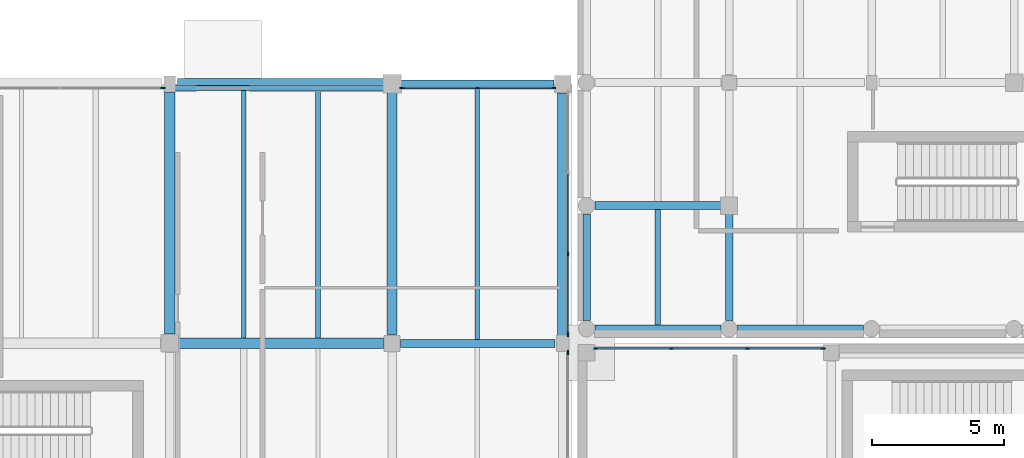
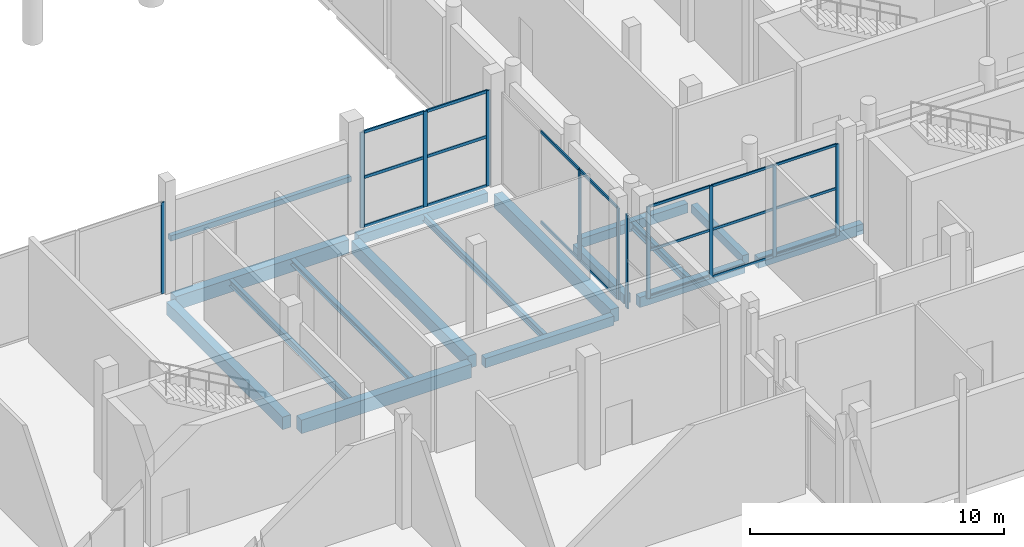
# One storey, part 23 of 88: 30 members, 17 beams, 5 elements without a shape of their own.
"""IFC4 building model written with IfcOpenShell, lengths in metres."""

from ifc_helpers import new_model, si_unit, direction, frame, origin, origin_2d, place, context, subcontext, project, spatial, rectangle, i_section, extrude, material, layer, layer_set, material_profile, profile_set, type_object, element, aggregate, save


model = new_model("IFC4")

# Units and contexts
model_context = context("Model", 3, precision=1e-05, world=origin(), true_north=direction((0.0, 1.0)))
body_context = subcontext(model_context, "Body", "Model", "MODEL_VIEW")
ifc_project = project(units=[si_unit("LENGTHUNIT", "METRE"), si_unit("AREAUNIT", "SQUARE_METRE"), si_unit("VOLUMEUNIT", "CUBIC_METRE"), si_unit("PLANEANGLEUNIT", "RADIAN"), si_unit("MASSUNIT", "GRAM", prefix="KILO")], contexts=[model_context])

# Site, building, storey
site_placement = place(None, origin())
site = spatial("IfcSite", under=ifc_project, at=site_placement, CompositionType="ELEMENT")
building_placement = place(site_placement, origin())
building = spatial("IfcBuilding", under=site, at=building_placement, Name="Birchvale Park Specialist Clinic", CompositionType="ELEMENT")
storey_placement = place(building_placement, origin())
storey = spatial("IfcBuildingStorey", under=building, at=storey_placement, Name="L00", CompositionType="ELEMENT", Elevation=0.0)

# Beams
ifc_material_1 = material(Name="Concrete C40/50", Category="concrete")
ifc_material_profile_1 = material_profile(ifc_material_1, rectangle(XDim=0.3798828125, YDim=0.639892578125, at=origin_2d()), Name="RCB-380x640")
ifc_profile_set_1 = profile_set([ifc_material_profile_1], Name="Concrete C40/50")
beam_type_1 = type_object("IfcBeamType", Name="BM-EXT-BG5", PredefinedType="BEAM", material=ifc_profile_set_1)
beam_1_placement = place(storey_placement, frame((51.25, 34.889892578125, -0.669921875), z_axis=(0.0, 1.0, 0.0), x_axis=(-1.0, 0.0, 0.0)))
element("IfcBeam", 1, at=beam_1_placement, inside=storey, type_object=beam_type_1, Name="V2 L00 Y girder 48", PredefinedType="BEAM", context=body_context, shape_type="SweptSolid", body=[
    extrude(rectangle(XDim=0.3798828125, YDim=0.639892578125, at=origin_2d()), origin(), (0.0, 0.0, 1.0), 9.170166015625),
])
ifc_material_profile_2 = material_profile(ifc_material_1, rectangle(XDim=0.300048828125, YDim=0.489990234375, at=origin_2d()), Name="RCB-300x490")
ifc_profile_set_2 = profile_set([ifc_material_profile_2], Name="Concrete C40/50")
beam_type_2 = type_object("IfcBeamType", Name="BM-EXT-BG8", PredefinedType="BEAM", material=ifc_profile_set_2)
for number, where, z_axis, x_axis, name in (
    (2, (52.4599609375, 35.14990234375, -0.56494140625), (1.0, 0.0, 0.0), (0.0, 1.0, 0.0), "V1 L00 X girder 1"),
    (3, (57.845703125, 35.14990234375, -0.56494140625), (1.0, 0.0, 0.0), (0.0, 1.0, 0.0), "V1 L00 X girder 2"),
):
    element("IfcBeam", number, at=place(storey_placement, frame(where, z_axis=z_axis, x_axis=x_axis)), inside=storey, type_object=beam_type_2, Name=name, PredefinedType="BEAM", context=body_context, shape_type="SweptSolid", body=[
        extrude(rectangle(XDim=0.300048828125, YDim=0.489990234375, at=origin_2d()), origin(), (0.0, 0.0, 1.0), 4.765625),
    ])
ifc_material_profile_3 = material_profile(ifc_material_1, rectangle(XDim=0.280029296875, YDim=0.43994140625, at=origin_2d()), Name="RCB-280x440")
ifc_profile_set_3 = profile_set([ifc_material_profile_3], Name="Concrete C40/50")
beam_type_3 = type_object("IfcBeamType", Name="BM-EXT-BG9", PredefinedType="BEAM", material=ifc_profile_set_3)
beam_2_placement = place(storey_placement, frame((52.14990234375, 35.4599609375, -0.5400390625), z_axis=(0.0, 1.0, 0.0), x_axis=(-1.0, 0.0, 0.0)))
element("IfcBeam", 4, at=beam_2_placement, inside=storey, type_object=beam_type_3, Name="V1 L00 Y girder 47", PredefinedType="BEAM", context=body_context, shape_type="SweptSolid", body=[
    extrude(rectangle(XDim=0.280029296875, YDim=0.43994140625, at=origin_2d()), origin(), (0.0, 0.0, 1.0), 4.030029296875),
])
ifc_material_profile_4 = material_profile(ifc_material_1, rectangle(XDim=0.39990234375, YDim=0.64990234375, at=origin_2d()), Name="RCB-400x650")
ifc_profile_set_4 = profile_set([ifc_material_profile_4], Name="Concrete C40/50")
beam_type_4 = type_object("IfcBeamType", Name="BM-INT-BG4", PredefinedType="BEAM", material=ifc_profile_set_4)
beam_3_placement = place(storey_placement, frame((36.75, 34.60009765625, -0.675048828125), z_axis=(1.0, 0.0, 0.0), x_axis=(0.0, 1.0, 0.0)))
element("IfcBeam", 5, at=beam_3_placement, inside=storey, type_object=beam_type_4, Name="V2 L00 X girder 19", PredefinedType="BEAM", context=body_context, shape_type="SweptSolid", body=[
    extrude(rectangle(XDim=0.39990234375, YDim=0.64990234375, at=origin_2d()), origin(), (0.0, 0.0, 1.0), 7.72509765625),
])
beam_4_placement = place(storey_placement, frame((36.699951171875, 44.39990234375, -0.675048828125), z_axis=(1.0, 0.0, 0.0), x_axis=(0.0, 1.0, 0.0)))
element("IfcBeam", 6, at=beam_4_placement, inside=storey, type_object=beam_type_4, Name="V2 L00 X girder 24", PredefinedType="BEAM", context=body_context, shape_type="SweptSolid", body=[
    extrude(rectangle(XDim=0.39990234375, YDim=0.64990234375, at=origin_2d()), origin(), (0.0, 0.0, 1.0), 7.875),
])
ifc_material_profile_5 = material_profile(ifc_material_1, rectangle(XDim=0.3798828125, YDim=0.60009765625, at=origin_2d()), Name="RCB-380x600")
ifc_profile_set_5 = profile_set([ifc_material_profile_5], Name="Concrete C40/50")
beam_type_5 = type_object("IfcBeamType", Name="BM-INT-BG5", PredefinedType="BEAM", material=ifc_profile_set_5)
beam_5_placement = place(storey_placement, frame((36.39990234375, 34.949951171875, -0.64990234375), z_axis=(0.0, 1.0, 0.0), x_axis=(-1.0, 0.0, 0.0)))
element("IfcBeam", 7, at=beam_5_placement, inside=storey, type_object=beam_type_5, Name="V2 L00 Y girder 40", PredefinedType="BEAM", context=body_context, shape_type="SweptSolid", body=[
    extrude(rectangle(XDim=0.3798828125, YDim=0.60009765625, at=origin_2d()), origin(), (0.0, 0.0, 1.0), 9.150146484375),
])
beam_6_placement = place(storey_placement, frame((44.800048828125, 34.925048828125, -0.64990234375), z_axis=(0.0, 1.0, 0.0), x_axis=(-1.0, 0.0, 0.0)))
element("IfcBeam", 8, at=beam_6_placement, inside=storey, type_object=beam_type_5, Name="V2 L00 Y girder 44", PredefinedType="BEAM", context=body_context, shape_type="SweptSolid", body=[
    extrude(rectangle(XDim=0.3798828125, YDim=0.60009765625, at=origin_2d()), origin(), (0.0, 0.0, 1.0), 9.175048828125),
])
ifc_material_profile_6 = material_profile(ifc_material_1, rectangle(XDim=0.300048828125, YDim=0.449951171875, at=origin_2d()), Name="RCB-300x450")
ifc_profile_set_6 = profile_set([ifc_material_profile_6], Name="Concrete C40/50")
beam_type_6 = type_object("IfcBeamType", Name="BM-INT-BG8", PredefinedType="BEAM", material=ifc_profile_set_6)
beam_7_placement = place(storey_placement, frame((52.4599609375, 39.800048828125, -0.544921875), z_axis=(1.0, 0.0, 0.0), x_axis=(0.0, 1.0, 0.0)))
element("IfcBeam", 9, at=beam_7_placement, inside=storey, type_object=beam_type_6, Name="V1 L00 X girder 8", PredefinedType="BEAM", context=body_context, shape_type="SweptSolid", body=[
    extrude(rectangle(XDim=0.300048828125, YDim=0.449951171875, at=origin_2d()), origin(), (0.0, 0.0, 1.0), 4.875732421875),
])
beam_8_placement = place(storey_placement, frame((45.125, 34.60009765625, -0.574951171875), z_axis=(1.0, 0.0, 0.0), x_axis=(0.0, 1.0, 0.0)))
element("IfcBeam", 10, at=beam_8_placement, inside=storey, type_object=beam_type_6, Name="V2 L00 X girder 20", PredefinedType="BEAM", context=body_context, shape_type="SweptSolid", body=[
    extrude(rectangle(XDim=0.300048828125, YDim=0.449951171875, at=origin_2d()), origin(), (0.0, 0.0, 1.0), 5.8349609375),
])
beam_9_placement = place(storey_placement, frame((45.02490234375, 44.39990234375, -0.574951171875), z_axis=(1.0, 0.0, 0.0), x_axis=(0.0, 1.0, 0.0)))
element("IfcBeam", 11, at=beam_9_placement, inside=storey, type_object=beam_type_6, Name="V2 L00 X girder 25", PredefinedType="BEAM", context=body_context, shape_type="SweptSolid", body=[
    extrude(rectangle(XDim=0.300048828125, YDim=0.449951171875, at=origin_2d()), origin(), (0.0, 0.0, 1.0), 5.885009765625),
])
ifc_material_profile_7 = material_profile(ifc_material_1, rectangle(XDim=0.280029296875, YDim=0.39990234375, at=origin_2d()), Name="RCB-280x400")
ifc_profile_set_7 = profile_set([ifc_material_profile_7], Name="Concrete C40/50")
beam_type_7 = type_object("IfcBeamType", Name="BM-INT-BG9", PredefinedType="BEAM", material=ifc_profile_set_7)
beam_10_placement = place(storey_placement, frame((57.53564453125, 35.4599609375, -0.52001953125), z_axis=(0.0, 1.0, 0.0), x_axis=(-1.0, 0.0, 0.0)))
element("IfcBeam", 12, at=beam_10_placement, inside=storey, type_object=beam_type_7, Name="V1 L00 Y girder 53", PredefinedType="BEAM", context=body_context, shape_type="SweptSolid", body=[
    extrude(rectangle(XDim=0.280029296875, YDim=0.39990234375, at=origin_2d()), origin(), (0.0, 0.0, 1.0), 4.06494140625),
])

# Curtain wall, members
ifc_material_2 = material(Name="Thermally broken anodised aluminium", Category="aluminium")
ifc_layer_1 = layer(ifc_material_2, 0.179931640625)
ifc_layer_set_1 = layer_set([ifc_layer_1], Name="Thermally broken anodised aluminium")
curtain_wall_type_1 = type_object("IfcCurtainWallType", Name="CW-U1", PredefinedType="USERDEFINED", material=ifc_layer_set_1)
curtain_wall_1_placement = place(storey_placement, origin())
curtain_wall_1 = element("IfcCurtainWall", 13, at=curtain_wall_1_placement, inside=storey, type_object=curtain_wall_type_1, Name="V4 L00 glazed curtain wall 45", ObjectType="UNITISED", PredefinedType="USERDEFINED")
ifc_material_profile_8 = material_profile(ifc_material_2, rectangle(XDim=0.06005859375, YDim=0.159912109375, at=origin_2d()), Name="CWM-60x160")
ifc_profile_set_8 = profile_set([ifc_material_profile_8], Name="Thermally broken anodised aluminium")
member_type_1 = type_object("IfcMemberType", Name="CWM1", PredefinedType="MULLION", material=ifc_profile_set_8)
member_1_placement = place(storey_placement, frame((61.080078125, 34.409912109375, 0.0), z_axis=(0.0, 0.0, 1.0), x_axis=(0.0, -1.0, 0.0)))
member_1 = element("IfcMember", 14, at=member_1_placement, type_object=member_type_1, Name="CW mullion 1", PredefinedType="MULLION", context=body_context, shape_type="SweptSolid", body=[
    extrude(rectangle(XDim=0.06005859375, YDim=0.159912109375, at=origin_2d()), origin(), (0.0, 0.0, 1.0), 4.4150390625),
])
member_2_placement = place(storey_placement, frame((58.228271484375, 34.409912109375, 0.0), z_axis=(0.0, 0.0, 1.0), x_axis=(0.0, -1.0, 0.0)))
member_2 = element("IfcMember", 15, at=member_2_placement, type_object=member_type_1, Name="CW mullion 2", PredefinedType="MULLION", context=body_context, shape_type="SweptSolid", body=[
    extrude(rectangle(XDim=0.06005859375, YDim=0.159912109375, at=origin_2d()), origin(), (0.0, 0.0, 1.0), 4.4150390625),
])
member_3_placement = place(storey_placement, frame((55.3466796875, 34.409912109375, 0.0), z_axis=(0.0, 0.0, 1.0), x_axis=(0.0, -1.0, 0.0)))
member_3 = element("IfcMember", 16, at=member_3_placement, type_object=member_type_1, Name="CW mullion 3", PredefinedType="MULLION", context=body_context, shape_type="SweptSolid", body=[
    extrude(rectangle(XDim=0.06005859375, YDim=0.159912109375, at=origin_2d()), origin(), (0.0, 0.0, 1.0), 4.4150390625),
])
member_4_placement = place(storey_placement, frame((52.4951171875, 34.409912109375, 0.0), z_axis=(0.0, 0.0, 1.0), x_axis=(0.0, -1.0, 0.0)))
member_4 = element("IfcMember", 17, at=member_4_placement, type_object=member_type_1, Name="CW mullion 4", PredefinedType="MULLION", context=body_context, shape_type="SweptSolid", body=[
    extrude(rectangle(XDim=0.06005859375, YDim=0.159912109375, at=origin_2d()), origin(), (0.0, 0.0, 1.0), 4.4150390625),
])

# Curtain wall, member
ifc_layer_2 = layer(ifc_material_2, 0.195068359375)
ifc_layer_set_2 = layer_set([ifc_layer_2], Name="Thermally broken anodised aluminium")
curtain_wall_type_2 = type_object("IfcCurtainWallType", Name="CW-U2", PredefinedType="USERDEFINED", material=ifc_layer_set_2)
curtain_wall_2_placement = place(storey_placement, origin())
curtain_wall_2 = element("IfcCurtainWall", 18, at=curtain_wall_2_placement, inside=storey, type_object=curtain_wall_type_2, Name="V2 L00 glazed curtain wall 12", ObjectType="UNITISED", PredefinedType="USERDEFINED")
ifc_material_profile_9 = material_profile(ifc_material_2, rectangle(XDim=0.06494140625, YDim=0.179931640625, at=origin_2d()), Name="CWM-65x180")
ifc_profile_set_9 = profile_set([ifc_material_profile_9], Name="Thermally broken anodised aluminium")
member_type_2 = type_object("IfcMemberType", Name="CWM2", PredefinedType="MULLION", material=ifc_profile_set_9)
member_5_placement = place(storey_placement, frame((51.445068359375, 34.25244140625, 0.0), z_axis=(0.0, 0.0, 1.0), x_axis=(-1.0, 0.0, 0.0)))
member_5 = element("IfcMember", 19, at=member_5_placement, type_object=member_type_2, Name="CW mullion 3", PredefinedType="MULLION", context=body_context, shape_type="SweptSolid", body=[
    extrude(rectangle(XDim=0.06494140625, YDim=0.179931640625, at=origin_2d()), origin(), (0.0, 0.0, 1.0), 4.4951171875),
])
aggregate(curtain_wall_2, [member_5])

# Curtain wall, members
curtain_wall_3_placement = place(storey_placement, origin())
curtain_wall_3 = element("IfcCurtainWall", 20, at=curtain_wall_3_placement, inside=storey, type_object=curtain_wall_type_2, Name="V2 L00 glazed curtain wall 13", ObjectType="UNITISED", PredefinedType="USERDEFINED")
member_6_placement = place(storey_placement, frame((51.445068359375, 34.947509765625, 0.0), z_axis=(0.0, 0.0, 1.0), x_axis=(-1.0, 0.0, 0.0)))
member_6 = element("IfcMember", 21, at=member_6_placement, type_object=member_type_2, Name="CW mullion 1", PredefinedType="MULLION", context=body_context, shape_type="SweptSolid", body=[
    extrude(rectangle(XDim=0.06494140625, YDim=0.179931640625, at=origin_2d()), origin(), (0.0, 0.0, 1.0), 4.39501953125),
])
member_7_placement = place(storey_placement, frame((51.445068359375, 37.9716796875, 0.0), z_axis=(0.0, 0.0, 1.0), x_axis=(-1.0, 0.0, 0.0)))
member_7 = element("IfcMember", 22, at=member_7_placement, type_object=member_type_2, Name="CW mullion 2", PredefinedType="MULLION", context=body_context, shape_type="SweptSolid", body=[
    extrude(rectangle(XDim=0.06494140625, YDim=0.179931640625, at=origin_2d()), origin(), (0.0, 0.0, 1.0), 4.39501953125),
])

curtain_wall_4_placement = place(storey_placement, origin())
curtain_wall_4 = element("IfcCurtainWall", 23, at=curtain_wall_4_placement, inside=storey, type_object=curtain_wall_type_2, Name="V2 L00 glazed curtain wall 14", ObjectType="UNITISED", PredefinedType="USERDEFINED")
member_8_placement = place(storey_placement, frame((50.902587890625, 44.2451171875, 0.0), z_axis=(0.0, 0.0, 1.0), x_axis=(0.0, -1.0, 0.0)))
member_8 = element("IfcMember", 24, at=member_8_placement, type_object=member_type_2, Name="CW mullion 1", PredefinedType="MULLION", context=body_context, shape_type="SweptSolid", body=[
    extrude(rectangle(XDim=0.06494140625, YDim=0.179931640625, at=origin_2d()), origin(), (0.0, 0.0, 1.0), 4.5849609375),
])
member_9_placement = place(storey_placement, frame((48.04248046875, 44.2451171875, 0.0), z_axis=(0.0, 0.0, 1.0), x_axis=(0.0, -1.0, 0.0)))
member_9 = element("IfcMember", 25, at=member_9_placement, type_object=member_type_2, Name="CW mullion 2", PredefinedType="MULLION", context=body_context, shape_type="SweptSolid", body=[
    extrude(rectangle(XDim=0.06494140625, YDim=0.179931640625, at=origin_2d()), origin(), (0.0, 0.0, 1.0), 4.5849609375),
])
member_10_placement = place(storey_placement, frame((45.1826171875, 44.2451171875, 0.0), z_axis=(0.0, 0.0, 1.0), x_axis=(0.0, -1.0, 0.0)))
member_10 = element("IfcMember", 26, at=member_10_placement, type_object=member_type_2, Name="CW mullion 3", PredefinedType="MULLION", context=body_context, shape_type="SweptSolid", body=[
    extrude(rectangle(XDim=0.06494140625, YDim=0.179931640625, at=origin_2d()), origin(), (0.0, 0.0, 1.0), 4.5849609375),
])

# Curtain wall, member
curtain_wall_5_placement = place(storey_placement, origin())
curtain_wall_5 = element("IfcCurtainWall", 27, at=curtain_wall_5_placement, inside=storey, type_object=curtain_wall_type_2, Name="V2 L00 glazed curtain wall 15", ObjectType="UNITISED", PredefinedType="USERDEFINED")
member_11_placement = place(storey_placement, frame((36.142578125, 44.2451171875, 0.0), z_axis=(0.0, 0.0, 1.0), x_axis=(0.0, -1.0, 0.0)))
member_11 = element("IfcMember", 28, at=member_11_placement, type_object=member_type_2, Name="CW mullion 1", PredefinedType="MULLION", context=body_context, shape_type="SweptSolid", body=[
    extrude(rectangle(XDim=0.06494140625, YDim=0.179931640625, at=origin_2d()), origin(), (0.0, 0.0, 1.0), 4.385009765625),
])
aggregate(curtain_wall_5, [member_11])

# Member
ifc_material_profile_10 = material_profile(ifc_material_2, rectangle(XDim=0.06005859375, YDim=0.1201171875, at=origin_2d()), Name="CWT-60x120")
ifc_profile_set_10 = profile_set([ifc_material_profile_10], Name="Thermally broken anodised aluminium")
member_type_3 = type_object("IfcMemberType", Name="CWT1", PredefinedType="USERDEFINED", material=ifc_profile_set_10)
member_12_placement = place(storey_placement, frame((61.050048828125, 34.409912109375, 0.030029296875), z_axis=(-1.0, 0.0, 0.0), x_axis=(0.0, -1.0, 0.0)))
member_12 = element("IfcMember", 29, at=member_12_placement, type_object=member_type_3, Name="CW transom 1.1", ObjectType="TRANSOM", PredefinedType="USERDEFINED", context=body_context, shape_type="SweptSolid", body=[
    extrude(rectangle(XDim=0.06005859375, YDim=0.1201171875, at=origin_2d()), origin(), (0.0, 0.0, 1.0), 2.791748046875),
])

member_13_placement = place(storey_placement, frame((61.050048828125, 34.409912109375, 2.2958984375), z_axis=(-1.0, 0.0, 0.0), x_axis=(0.0, -1.0, 0.0)))
member_13 = element("IfcMember", 30, at=member_13_placement, type_object=member_type_3, Name="CW transom 1.2", ObjectType="TRANSOM", PredefinedType="USERDEFINED", context=body_context, shape_type="SweptSolid", body=[
    extrude(rectangle(XDim=0.06005859375, YDim=0.1201171875, at=origin_2d()), origin(), (0.0, 0.0, 1.0), 2.791748046875),
])

member_14_placement = place(storey_placement, frame((61.050048828125, 34.409912109375, 4.385009765625), z_axis=(-1.0, 0.0, 0.0), x_axis=(0.0, -1.0, 0.0)))
member_14 = element("IfcMember", 31, at=member_14_placement, type_object=member_type_3, Name="CW transom 1.3", ObjectType="TRANSOM", PredefinedType="USERDEFINED", context=body_context, shape_type="SweptSolid", body=[
    extrude(rectangle(XDim=0.06005859375, YDim=0.1201171875, at=origin_2d()), origin(), (0.0, 0.0, 1.0), 2.791748046875),
])

member_15_placement = place(storey_placement, frame((58.1982421875, 34.409912109375, 0.030029296875), z_axis=(-1.0, 0.0, 0.0), x_axis=(0.0, -1.0, 0.0)))
member_15 = element("IfcMember", 32, at=member_15_placement, type_object=member_type_3, Name="CW transom 2.1", ObjectType="TRANSOM", PredefinedType="USERDEFINED", context=body_context, shape_type="SweptSolid", body=[
    extrude(rectangle(XDim=0.06005859375, YDim=0.1201171875, at=origin_2d()), origin(), (0.0, 0.0, 1.0), 2.821533203125),
])

member_16_placement = place(storey_placement, frame((58.1982421875, 34.409912109375, 2.2958984375), z_axis=(-1.0, 0.0, 0.0), x_axis=(0.0, -1.0, 0.0)))
member_16 = element("IfcMember", 33, at=member_16_placement, type_object=member_type_3, Name="CW transom 2.2", ObjectType="TRANSOM", PredefinedType="USERDEFINED", context=body_context, shape_type="SweptSolid", body=[
    extrude(rectangle(XDim=0.06005859375, YDim=0.1201171875, at=origin_2d()), origin(), (0.0, 0.0, 1.0), 2.821533203125),
])

member_17_placement = place(storey_placement, frame((58.1982421875, 34.409912109375, 4.385009765625), z_axis=(-1.0, 0.0, 0.0), x_axis=(0.0, -1.0, 0.0)))
member_17 = element("IfcMember", 34, at=member_17_placement, type_object=member_type_3, Name="CW transom 2.3", ObjectType="TRANSOM", PredefinedType="USERDEFINED", context=body_context, shape_type="SweptSolid", body=[
    extrude(rectangle(XDim=0.06005859375, YDim=0.1201171875, at=origin_2d()), origin(), (0.0, 0.0, 1.0), 2.821533203125),
])

member_18_placement = place(storey_placement, frame((55.316650390625, 34.409912109375, 0.030029296875), z_axis=(-1.0, 0.0, 0.0), x_axis=(0.0, -1.0, 0.0)))
member_18 = element("IfcMember", 35, at=member_18_placement, type_object=member_type_3, Name="CW transom 3.1", ObjectType="TRANSOM", PredefinedType="USERDEFINED", context=body_context, shape_type="SweptSolid", body=[
    extrude(rectangle(XDim=0.06005859375, YDim=0.1201171875, at=origin_2d()), origin(), (0.0, 0.0, 1.0), 2.791748046875),
])

member_19_placement = place(storey_placement, frame((55.316650390625, 34.409912109375, 2.2958984375), z_axis=(-1.0, 0.0, 0.0), x_axis=(0.0, -1.0, 0.0)))
member_19 = element("IfcMember", 36, at=member_19_placement, type_object=member_type_3, Name="CW transom 3.2", ObjectType="TRANSOM", PredefinedType="USERDEFINED", context=body_context, shape_type="SweptSolid", body=[
    extrude(rectangle(XDim=0.06005859375, YDim=0.1201171875, at=origin_2d()), origin(), (0.0, 0.0, 1.0), 2.791748046875),
])

member_20_placement = place(storey_placement, frame((55.316650390625, 34.409912109375, 4.385009765625), z_axis=(-1.0, 0.0, 0.0), x_axis=(0.0, -1.0, 0.0)))
member_20 = element("IfcMember", 37, at=member_20_placement, type_object=member_type_3, Name="CW transom 3.3", ObjectType="TRANSOM", PredefinedType="USERDEFINED", context=body_context, shape_type="SweptSolid", body=[
    extrude(rectangle(XDim=0.06005859375, YDim=0.1201171875, at=origin_2d()), origin(), (0.0, 0.0, 1.0), 2.791748046875),
])

aggregate(curtain_wall_1, [member_1, member_2, member_3, member_4, member_12, member_13, member_14, member_15, member_16, member_17, member_18, member_19, member_20])

ifc_material_profile_11 = material_profile(ifc_material_2, rectangle(XDim=0.06494140625, YDim=0.139892578125, at=origin_2d()), Name="CWT-65x140")
ifc_profile_set_11 = profile_set([ifc_material_profile_11], Name="Thermally broken anodised aluminium")
member_type_4 = type_object("IfcMemberType", Name="CWT2", PredefinedType="USERDEFINED", material=ifc_profile_set_11)
member_21_placement = place(storey_placement, frame((51.445068359375, 34.97998046875, 0.032470703125), z_axis=(0.0, 1.0, 0.0), x_axis=(-1.0, 0.0, 0.0)))
member_21 = element("IfcMember", 38, at=member_21_placement, type_object=member_type_4, Name="CW transom 1.1", ObjectType="TRANSOM", PredefinedType="USERDEFINED", context=body_context, shape_type="SweptSolid", body=[
    extrude(rectangle(XDim=0.06494140625, YDim=0.139892578125, at=origin_2d()), origin(), (0.0, 0.0, 1.0), 2.959228515625),
])

member_22_placement = place(storey_placement, frame((51.445068359375, 34.97998046875, 4.362548828125), z_axis=(0.0, 1.0, 0.0), x_axis=(-1.0, 0.0, 0.0)))
member_22 = element("IfcMember", 39, at=member_22_placement, type_object=member_type_4, Name="CW transom 1.2", ObjectType="TRANSOM", PredefinedType="USERDEFINED", context=body_context, shape_type="SweptSolid", body=[
    extrude(rectangle(XDim=0.06494140625, YDim=0.139892578125, at=origin_2d()), origin(), (0.0, 0.0, 1.0), 2.959228515625),
])

member_23_placement = place(storey_placement, frame((51.445068359375, 38.004150390625, 0.032470703125), z_axis=(0.0, 1.0, 0.0), x_axis=(-1.0, 0.0, 0.0)))
member_23 = element("IfcMember", 40, at=member_23_placement, type_object=member_type_4, Name="CW transom 2.1", ObjectType="TRANSOM", PredefinedType="USERDEFINED", context=body_context, shape_type="SweptSolid", body=[
    extrude(rectangle(XDim=0.06494140625, YDim=0.139892578125, at=origin_2d()), origin(), (0.0, 0.0, 1.0), 2.99169921875),
])

member_24_placement = place(storey_placement, frame((51.445068359375, 38.004150390625, 4.362548828125), z_axis=(0.0, 1.0, 0.0), x_axis=(-1.0, 0.0, 0.0)))
member_24 = element("IfcMember", 41, at=member_24_placement, type_object=member_type_4, Name="CW transom 2.2", ObjectType="TRANSOM", PredefinedType="USERDEFINED", context=body_context, shape_type="SweptSolid", body=[
    extrude(rectangle(XDim=0.06494140625, YDim=0.139892578125, at=origin_2d()), origin(), (0.0, 0.0, 1.0), 2.99169921875),
])

aggregate(curtain_wall_3, [member_6, member_7, member_21, member_22, member_23, member_24])

member_25_placement = place(storey_placement, frame((50.8701171875, 44.2451171875, 0.032470703125), z_axis=(-1.0, 0.0, 0.0), x_axis=(0.0, -1.0, 0.0)))
member_25 = element("IfcMember", 42, at=member_25_placement, type_object=member_type_4, Name="CW transom 1.1", ObjectType="TRANSOM", PredefinedType="USERDEFINED", context=body_context, shape_type="SweptSolid", body=[
    extrude(rectangle(XDim=0.06494140625, YDim=0.139892578125, at=origin_2d()), origin(), (0.0, 0.0, 1.0), 2.795166015625),
])

member_26_placement = place(storey_placement, frame((50.8701171875, 44.2451171875, 2.38427734375), z_axis=(-1.0, 0.0, 0.0), x_axis=(0.0, -1.0, 0.0)))
member_26 = element("IfcMember", 43, at=member_26_placement, type_object=member_type_4, Name="CW transom 1.2", ObjectType="TRANSOM", PredefinedType="USERDEFINED", context=body_context, shape_type="SweptSolid", body=[
    extrude(rectangle(XDim=0.06494140625, YDim=0.139892578125, at=origin_2d()), origin(), (0.0, 0.0, 1.0), 2.795166015625),
])

member_27_placement = place(storey_placement, frame((50.8701171875, 44.2451171875, 4.552490234375), z_axis=(-1.0, 0.0, 0.0), x_axis=(0.0, -1.0, 0.0)))
member_27 = element("IfcMember", 44, at=member_27_placement, type_object=member_type_4, Name="CW transom 1.3", ObjectType="TRANSOM", PredefinedType="USERDEFINED", context=body_context, shape_type="SweptSolid", body=[
    extrude(rectangle(XDim=0.06494140625, YDim=0.139892578125, at=origin_2d()), origin(), (0.0, 0.0, 1.0), 2.795166015625),
])

member_28_placement = place(storey_placement, frame((48.010009765625, 44.2451171875, 0.032470703125), z_axis=(-1.0, 0.0, 0.0), x_axis=(0.0, -1.0, 0.0)))
member_28 = element("IfcMember", 45, at=member_28_placement, type_object=member_type_4, Name="CW transom 2.1", ObjectType="TRANSOM", PredefinedType="USERDEFINED", context=body_context, shape_type="SweptSolid", body=[
    extrude(rectangle(XDim=0.06494140625, YDim=0.139892578125, at=origin_2d()), origin(), (0.0, 0.0, 1.0), 2.794921875),
])

member_29_placement = place(storey_placement, frame((48.010009765625, 44.2451171875, 2.38427734375), z_axis=(-1.0, 0.0, 0.0), x_axis=(0.0, -1.0, 0.0)))
member_29 = element("IfcMember", 46, at=member_29_placement, type_object=member_type_4, Name="CW transom 2.2", ObjectType="TRANSOM", PredefinedType="USERDEFINED", context=body_context, shape_type="SweptSolid", body=[
    extrude(rectangle(XDim=0.06494140625, YDim=0.139892578125, at=origin_2d()), origin(), (0.0, 0.0, 1.0), 2.794921875),
])

member_30_placement = place(storey_placement, frame((48.010009765625, 44.2451171875, 4.552490234375), z_axis=(-1.0, 0.0, 0.0), x_axis=(0.0, -1.0, 0.0)))
member_30 = element("IfcMember", 47, at=member_30_placement, type_object=member_type_4, Name="CW transom 2.3", ObjectType="TRANSOM", PredefinedType="USERDEFINED", context=body_context, shape_type="SweptSolid", body=[
    extrude(rectangle(XDim=0.06494140625, YDim=0.139892578125, at=origin_2d()), origin(), (0.0, 0.0, 1.0), 2.794921875),
])

aggregate(curtain_wall_4, [member_8, member_9, member_10, member_25, member_26, member_27, member_28, member_29, member_30])

# Beams
ifc_material_profile_12 = material_profile(ifc_material_1, rectangle(XDim=0.199951171875, YDim=0.260009765625, at=origin_2d()), Name="LNT-200x260")
ifc_profile_set_12 = profile_set([ifc_material_profile_12], Name="Concrete C40/50")
beam_type_8 = type_object("IfcBeamType", Name="LNT-EXT-LN3", PredefinedType="LINTEL", material=ifc_profile_set_12)
beam_11_placement = place(storey_placement, frame((44.635009765625, 44.2451171875, 2.570068359375), z_axis=(-1.0, 0.0, 0.0), x_axis=(0.0, -1.0, 0.0)))
element("IfcBeam", 48, at=beam_11_placement, inside=storey, type_object=beam_type_8, Name="V2 L00 exit opening lintel 6", PredefinedType="LINTEL", context=body_context, shape_type="SweptSolid", body=[
    extrude(rectangle(XDim=0.199951171875, YDim=0.260009765625, at=origin_2d()), origin(), (0.0, 0.0, 1.0), 8.195068359375),
])
ifc_material_3 = material(Name="Steel ASTM A992 Grade 50", Category="steel")
ifc_material_profile_13 = material_profile(ifc_material_3, i_section(OverallWidth=0.2041015625, OverallDepth=0.35107421875, WebThickness=0.008544921875, FlangeThickness=0.01513671875, at=origin_2d()), Name="W14X48")
ifc_profile_set_13 = profile_set([ifc_material_profile_13], Name="Steel ASTM A992 Grade 50")
beam_type_9 = type_object("IfcBeamType", Name="STL-INT-SJ1", PredefinedType="JOIST", material=ifc_profile_set_13)
beam_12_placement = place(storey_placement, frame((54.8427734375, 35.300048828125, -0.49560546875), z_axis=(0.0, 1.0, 0.0), x_axis=(-1.0, 0.0, 0.0)))
element("IfcBeam", 49, at=beam_12_placement, inside=storey, type_object=beam_type_9, Name="V1 L00 secondary floor joist 1", PredefinedType="JOIST", context=body_context, shape_type="SweptSolid", body=[
    extrude(i_section(OverallWidth=0.2041015625, OverallDepth=0.35107421875, WebThickness=0.008544921875, FlangeThickness=0.01513671875, at=origin_2d()), origin(), (0.0, 0.0, 1.0), 4.349853515625),
])
ifc_material_profile_14 = material_profile(ifc_material_3, i_section(OverallWidth=0.1669921875, OverallDepth=0.31689453125, WebThickness=0.007568359375, FlangeThickness=0.01318359375, at=origin_2d()), Name="W12X35")
ifc_profile_set_14 = profile_set([ifc_material_profile_14], Name="Steel ASTM A992 Grade 50")
beam_type_10 = type_object("IfcBeamType", Name="STL-INT-SJ3", PredefinedType="JOIST", material=ifc_profile_set_14)
beam_13_placement = place(storey_placement, frame((39.199951171875, 34.800048828125, -0.508544921875), z_axis=(0.0, 1.0, 0.0), x_axis=(-1.0, 0.0, 0.0)))
element("IfcBeam", 50, at=beam_13_placement, inside=storey, type_object=beam_type_10, Name="V2 L00 secondary floor joist 23", PredefinedType="JOIST", context=body_context, shape_type="SweptSolid", body=[
    extrude(i_section(OverallWidth=0.1669921875, OverallDepth=0.31689453125, WebThickness=0.007568359375, FlangeThickness=0.01318359375, at=origin_2d()), origin(), (0.0, 0.0, 1.0), 9.39990234375),
])
beam_14_placement = place(storey_placement, frame((48.02490234375, 34.75, -0.508544921875), z_axis=(0.0, 1.0, 0.0), x_axis=(-1.0, 0.0, 0.0)))
element("IfcBeam", 51, at=beam_14_placement, inside=storey, type_object=beam_type_10, Name="V2 L00 secondary floor joist 28", PredefinedType="JOIST", context=body_context, shape_type="SweptSolid", body=[
    extrude(i_section(OverallWidth=0.1669921875, OverallDepth=0.31689453125, WebThickness=0.007568359375, FlangeThickness=0.01318359375, at=origin_2d()), origin(), (0.0, 0.0, 1.0), 9.5),
])
ifc_material_profile_15 = material_profile(ifc_material_3, i_section(OverallWidth=0.202880859375, OverallDepth=0.251953125, WebThickness=0.008056640625, FlangeThickness=0.013427734375, at=origin_2d()), Name="W10X39")
ifc_profile_set_15 = profile_set([ifc_material_profile_15], Name="Steel ASTM A992 Grade 50")
beam_type_11 = type_object("IfcBeamType", Name="STL-INT-SJ4", PredefinedType="JOIST", material=ifc_profile_set_15)
beam_15_placement = place(storey_placement, frame((42.0, 34.800048828125, -0.47607421875), z_axis=(0.0, 1.0, 0.0), x_axis=(-1.0, 0.0, 0.0)))
element("IfcBeam", 52, at=beam_15_placement, inside=storey, type_object=beam_type_11, Name="V2 L00 secondary floor joist 24", PredefinedType="JOIST", context=body_context, shape_type="SweptSolid", body=[
    extrude(i_section(OverallWidth=0.202880859375, OverallDepth=0.251953125, WebThickness=0.008056640625, FlangeThickness=0.013427734375, at=origin_2d()), origin(), (0.0, 0.0, 1.0), 9.39990234375),
])

save(model, "model.ifc")
